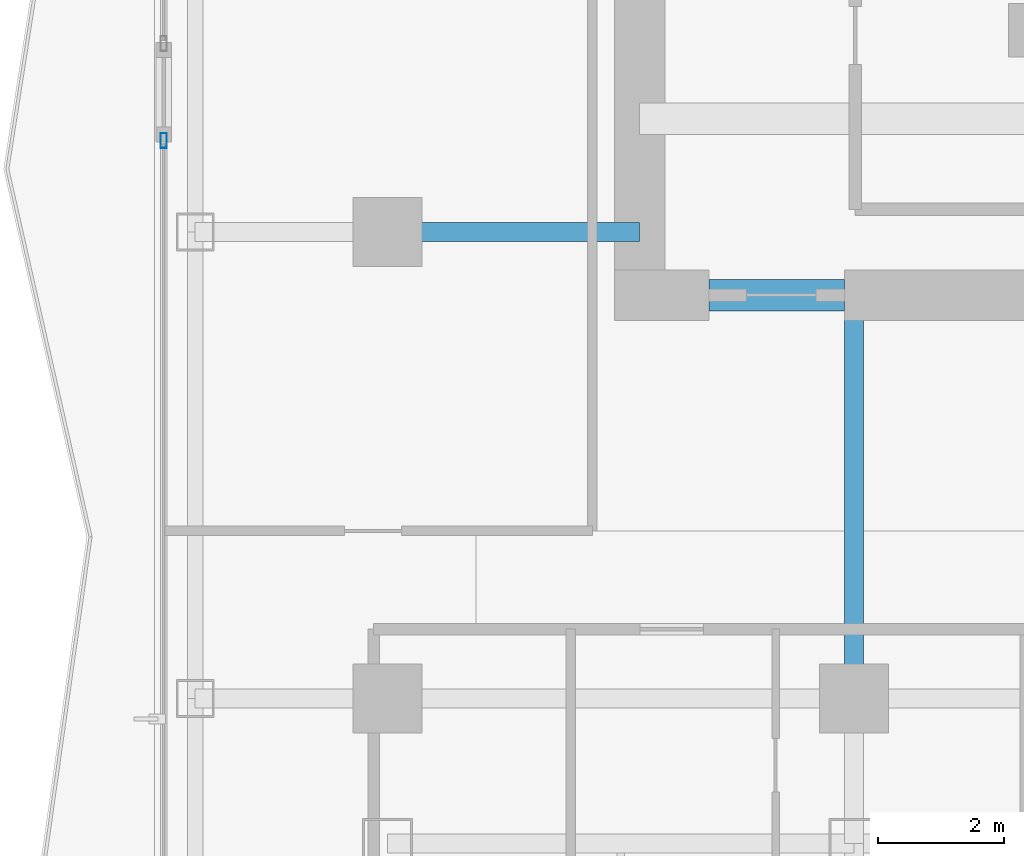
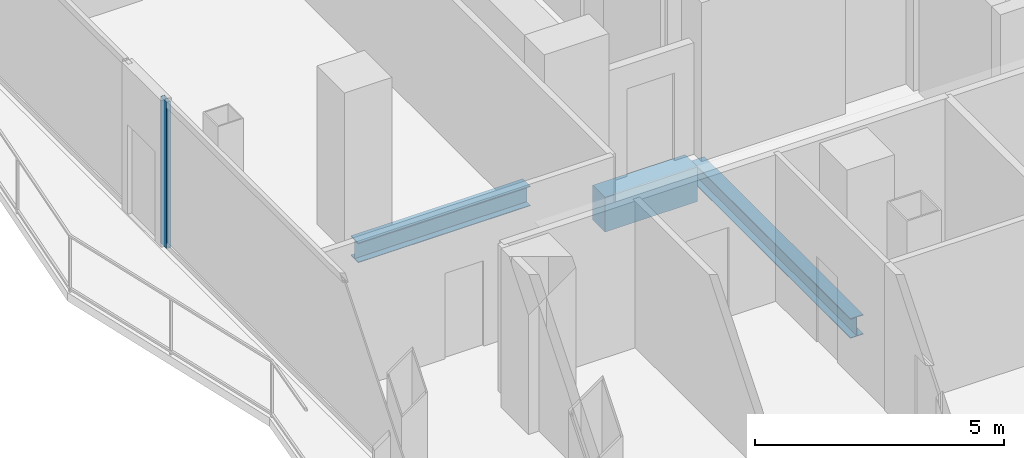
# One storey, part 6 of 27: 3 beams, 1 member, 1 element without a shape of its own.
"""IFC4 building model written with IfcOpenShell, lengths in metres."""

from ifc_helpers import new_model, si_unit, direction, frame, origin, origin_2d, place, context, subcontext, project, spatial, rectangle, hollow_rectangle, i_section, extrude, material, layer, layer_set, material_profile, profile_set, type_object, element, aggregate, save


model = new_model("IFC4")

# Units and contexts
model_context = context("Model", 3, precision=1e-05, world=origin(), true_north=direction((0.0, 1.0)))
body_context = subcontext(model_context, "Body", "Model", "MODEL_VIEW")
ifc_project = project(units=[si_unit("LENGTHUNIT", "METRE"), si_unit("AREAUNIT", "SQUARE_METRE"), si_unit("VOLUMEUNIT", "CUBIC_METRE"), si_unit("PLANEANGLEUNIT", "RADIAN"), si_unit("MASSUNIT", "GRAM", prefix="KILO")], contexts=[model_context])

# Site, building, storey
site_placement = place(None, origin())
site = spatial("IfcSite", under=ifc_project, at=site_placement, CompositionType="ELEMENT")
building_placement = place(site_placement, origin())
building = spatial("IfcBuilding", under=site, at=building_placement, Name="Khorvyn Point Tower", CompositionType="ELEMENT")
storey_placement = place(building_placement, frame((0.0, 0.0, 231.300048828125)))
storey = spatial("IfcBuildingStorey", under=building, at=storey_placement, Name="L57", CompositionType="ELEMENT", Elevation=231.300048828125)

# Curtain wall, member
ifc_material_1 = material(Name="Anodised aluminium 6063-T6 and laminated Low-E glass", Category="aluminium")
ifc_layer = layer(ifc_material_1, 0.18994140625)
ifc_layer_set = layer_set([ifc_layer], Name="Stick-Built Acoustic Curtain Wall CW-SYS-03")
curtain_wall_type = type_object("IfcCurtainWallType", Name="Stick-Built Acoustic Curtain Wall CW-SYS-03", PredefinedType="NOTDEFINED", material=ifc_layer_set)
curtain_wall_placement = place(storey_placement, origin())
curtain_wall = element("IfcCurtainWall", 1, at=curtain_wall_placement, inside=storey, type_object=curtain_wall_type, Name="Curtain Wall", PredefinedType="NOTDEFINED")
ifc_material_2 = material(Name="Anodised aluminium 6063-T6", Category="aluminium")
ifc_material_profile_1 = material_profile(ifc_material_2, hollow_rectangle(XDim=0.10009765625, YDim=0.239990234375, WallThickness=0.0048828125, at=origin_2d()))
ifc_profile_set_1 = profile_set([ifc_material_profile_1], Name="Anodised aluminium 6063-T6 ALU-MUL-100x240")
member_type = type_object("IfcMemberType", Name="Anodised Aluminium 6063-T6 Mullion ALU-MUL-100x240", PredefinedType="MULLION", material=ifc_profile_set_1)
member_placement = place(storey_placement, frame((-18.35009765625, -5.949951171875, 0.0), z_axis=(0.0, 0.0, 1.0), x_axis=(-1.0, 0.0, 0.0)))
member = element("IfcMember", 2, at=member_placement, type_object=member_type, Name="Transom", PredefinedType="MULLION", context=body_context, shape_type="SweptSolid", body=[
    extrude(hollow_rectangle(XDim=0.10009765625, YDim=0.239990234375, WallThickness=0.0048828125, at=origin_2d()), origin(), (0.0, 0.0, 1.0), 3.599853515625),
])
aggregate(curtain_wall, [member])

# Beams
ifc_material_3 = material(Name="Concrete C45/55", Category="concrete")
ifc_material_profile_2 = material_profile(ifc_material_3, rectangle(XDim=0.5, YDim=0.85009765625, at=origin_2d()))
ifc_profile_set_2 = profile_set([ifc_material_profile_2], Name="Concrete C45/55 RC500x850")
beam_type_1 = type_object("IfcBeamType", Name="Concrete C45/55 Beam RC500x850", PredefinedType="BEAM", material=ifc_profile_set_2)
beam_1_placement = place(storey_placement, frame((-9.699951171875, -8.39990234375, -0.64501953125), z_axis=(1.0, 0.0, 0.0), x_axis=(0.0, 1.0, 0.0)))
element("IfcBeam", 3, at=beam_1_placement, inside=storey, type_object=beam_type_1, Name="L57 Core Southwest Portal Coupling Beam", PredefinedType="BEAM", context=body_context, shape_type="SweptSolid", body=[
    extrude(rectangle(XDim=0.5, YDim=0.85009765625, at=origin_2d()), origin(), (0.0, 0.0, 1.0), 2.14990234375),
])
ifc_material_4 = material(Name="Steel S355", Category="steel")
ifc_material_profile_3 = material_profile(ifc_material_4, i_section(OverallWidth=0.300048828125, OverallDepth=0.488037109375, WebThickness=0.010986328125, FlangeThickness=0.01806640625, at=origin_2d()))
ifc_profile_set_3 = profile_set([ifc_material_profile_3], Name="Steel S355 H488x300x11x18")
beam_type_2 = type_object("IfcBeamType", Name="Steel S355 Spandrel H488x300x11x18", PredefinedType="SPANDREL", material=ifc_profile_set_3)
beam_2_placement = place(storey_placement, frame((-14.800048828125, -7.39990234375, -0.464111328125), z_axis=(1.0, 0.0, 0.0), x_axis=(0.0, 1.0, 0.0)))
element("IfcBeam", 4, at=beam_2_placement, inside=storey, type_object=beam_type_2, Name="Beam", PredefinedType="SPANDREL", context=body_context, shape_type="SweptSolid", body=[
    extrude(i_section(OverallWidth=0.300048828125, OverallDepth=0.488037109375, WebThickness=0.010986328125, FlangeThickness=0.01806640625, at=origin_2d()), origin(), (0.0, 0.0, 1.0), 4.0),
])
beam_3_placement = place(storey_placement, frame((-7.39990234375, -14.800048828125, -0.464111328125), z_axis=(0.0, 1.0, 0.0), x_axis=(-1.0, 0.0, 0.0)))
element("IfcBeam", 5, at=beam_3_placement, inside=storey, type_object=beam_type_2, Name="Beam", PredefinedType="SPANDREL", context=body_context, shape_type="SweptSolid", body=[
    extrude(i_section(OverallWidth=0.300048828125, OverallDepth=0.488037109375, WebThickness=0.010986328125, FlangeThickness=0.01806640625, at=origin_2d()), origin(), (0.0, 0.0, 1.0), 6.400146484375),
])

save(model, "model.ifc")
